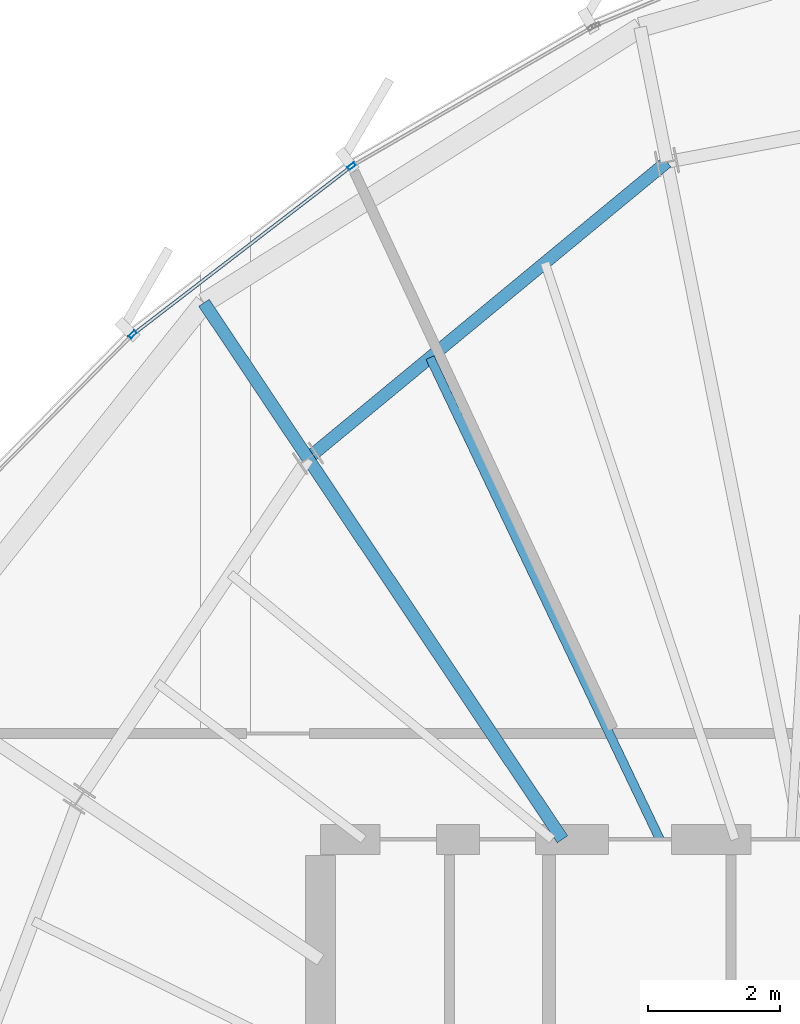
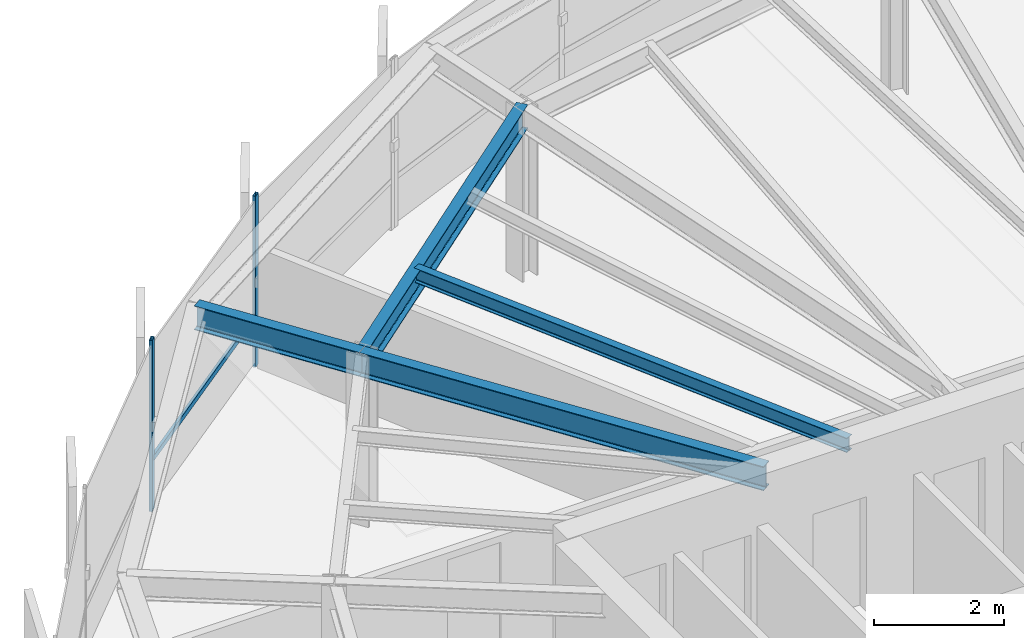
# One storey, part 19 of 33: 4 beams, 3 members, 1 element without a shape of its own.
"""IFC4 building model written with IfcOpenShell, lengths in metres."""

from ifc_helpers import new_model, si_unit, direction, frame, origin, origin_2d, place, context, subcontext, project, spatial, hollow_rectangle, i_section, extrude, source, transform, mapped, material, layer, layer_set, material_profile, profile_set, type_object, element, aggregate, save


model = new_model("IFC4")

# Units and contexts
model_context = context("Model", 3, precision=1e-05, world=origin(), true_north=direction((0.0, 1.0)))
body_context = subcontext(model_context, "Body", "Model", "MODEL_VIEW")
ifc_project = project(units=[si_unit("LENGTHUNIT", "METRE"), si_unit("AREAUNIT", "SQUARE_METRE"), si_unit("VOLUMEUNIT", "CUBIC_METRE"), si_unit("PLANEANGLEUNIT", "RADIAN"), si_unit("MASSUNIT", "GRAM", prefix="KILO"), si_unit("THERMODYNAMICTEMPERATUREUNIT", "KELVIN")], contexts=[model_context])

# Site, building, storey
site_placement = place(None, origin())
site = spatial("IfcSite", under=ifc_project, at=site_placement, CompositionType="ELEMENT")
building_placement = place(site_placement, origin())
building = spatial("IfcBuilding", under=site, at=building_placement, Name="Kethvar Cultural Tower", CompositionType="ELEMENT")
storey_placement = place(building_placement, frame((0.0, 0.0, 235.300048828125)))
storey = spatial("IfcBuildingStorey", under=building, at=storey_placement, Name="L61", CompositionType="ELEMENT", Elevation=235.300048828125)

# Beams
ifc_material_1 = material(Name="Steel S355J2", Category="steel")
ifc_material_profile_1 = material_profile(ifc_material_1, i_section(OverallWidth=0.18994140625, OverallDepth=0.449951171875, WebThickness=0.009521484375, FlangeThickness=0.0146484375, FilletRadius=0.02099609375, at=origin_2d()), Name="Steel S355J2 — IPE450")
ifc_profile_set_1 = profile_set([ifc_material_profile_1], Name="Steel S355J2 — IPE450")
beam_type_1 = type_object("IfcBeamType", Name="BM-IPE450", PredefinedType="BEAM", material=ifc_profile_set_1)
shared_shape_1 = source(origin(), body_context, "Body", "SweptSolid", [
    extrude(i_section(OverallWidth=0.18994140625, OverallDepth=0.449951171875, WebThickness=0.009521484375, FlangeThickness=0.0146484375, FilletRadius=0.02099609375, at=origin_2d()), origin(), (0.0, 0.0, 1.0), 6.921630859375),
])
beam_1_placement = place(storey_placement, frame((41.655029296875, 35.5, 2.98291015625), z_axis=(-0.555570841874, 0.831469205479, 0.0), x_axis=(-0.831469205479, -0.555570841874, 0.0)))
element("IfcBeam", 1, at=beam_1_placement, inside=storey, type_object=beam_type_1, Name="L61 Primary Radial Beam RB-06", PredefinedType="BEAM", context=body_context, shape_type="MappedRepresentation", body=[
    mapped(shared_shape_1, transform((0.0, 0.0, 0.0), scale=1.0)),
])
shared_shape_2 = source(origin(), body_context, "Body", "SweptSolid", [
    extrude(i_section(OverallWidth=0.18994140625, OverallDepth=0.449951171875, WebThickness=0.009521484375, FlangeThickness=0.0146484375, FilletRadius=0.02099609375, at=origin_2d()), origin(), (0.0, 0.0, 1.0), 7.03271484375),
])
beam_2_placement = place(storey_placement, frame((43.23291015625, 45.732421875, 2.98291015625), z_axis=(-0.771161072103, -0.636640087391, 0.0), x_axis=(0.636640087391, -0.771161072103, 0.0)))
element("IfcBeam", 2, at=beam_2_placement, inside=storey, type_object=beam_type_1, Name="L61 Column Ring Tie Beam CR-05", PredefinedType="BEAM", context=body_context, shape_type="MappedRepresentation", body=[
    mapped(shared_shape_2, transform((0.0, 0.0, 0.0), scale=1.0)),
])
ifc_material_profile_2 = material_profile(ifc_material_1, i_section(OverallWidth=0.135009765625, OverallDepth=0.27001953125, WebThickness=0.006591796875, FlangeThickness=0.01025390625, FilletRadius=0.014892578125, at=origin_2d()), Name="Steel S355J2 — IPE270")
ifc_profile_set_2 = profile_set([ifc_material_profile_2], Name="Steel S355J2 — IPE270")
beam_type_2 = type_object("IfcBeamType", Name="BM-J270", PredefinedType="JOIST", material=ifc_profile_set_2)
shared_shape_3 = source(origin(), body_context, "Body", "SweptSolid", [
    extrude(i_section(OverallWidth=0.135009765625, OverallDepth=0.27001953125, WebThickness=0.006591796875, FlangeThickness=0.01025390625, FilletRadius=0.014892578125, at=origin_2d()), origin(), (0.0, 0.0, 1.0), 8.063232421875),
])
beam_3_placement = place(storey_placement, frame((43.1259765625, 35.5, 3.072998046875), z_axis=(-0.430642151588, 0.902522762746, 0.0), x_axis=(-0.902522762746, -0.430642151588, 0.0)))
element("IfcBeam", 3, at=beam_3_placement, inside=storey, type_object=beam_type_2, Name="L61 Composite Floor Joist J-05B", PredefinedType="JOIST", context=body_context, shape_type="MappedRepresentation", body=[
    mapped(shared_shape_3, transform((0.0, 0.0, 0.0), scale=1.0)),
])
shared_shape_4 = source(origin(), body_context, "Body", "SweptSolid", [
    extrude(i_section(OverallWidth=0.18994140625, OverallDepth=0.449951171875, WebThickness=0.009521484375, FlangeThickness=0.0146484375, FilletRadius=0.02099609375, at=origin_2d()), origin(), (0.0, 0.0, 1.0), 2.82568359375),
])
beam_4_placement = place(storey_placement, frame((37.8095703125, 41.255126953125, 2.98291015625), z_axis=(-0.555577219999, 0.83146494371, 0.0), x_axis=(-0.83146494371, -0.555577219999, 0.0)))
element("IfcBeam", 4, at=beam_4_placement, inside=storey, type_object=beam_type_1, Name="L61 Perimeter Cantilever Beam RC-06", PredefinedType="BEAM", context=body_context, shape_type="MappedRepresentation", body=[
    mapped(shared_shape_4, transform((0.0, 0.0, 0.0), scale=1.0)),
])

# Curtain wall, members
ifc_material_2 = material(Name="Aluminium 6063-T6", Category="aluminium")
ifc_layer = layer(ifc_material_2, 0.179931640625, Name="Aluminium 6063-T6", Category="aluminium")
ifc_layer_set = layer_set([ifc_layer], Name="Aluminium 6063-T6 (180 mm)")
curtain_wall_type = type_object("IfcCurtainWallType", Name="CW-SYS-05-Z56", PredefinedType="NOTDEFINED", material=ifc_layer_set)
curtain_wall_placement = place(storey_placement, origin())
curtain_wall = element("IfcCurtainWall", 5, at=curtain_wall_placement, inside=storey, type_object=curtain_wall_type, Name="L61 Curtain Wall Run 02", PredefinedType="NOTDEFINED")
ifc_material_profile_3 = material_profile(ifc_material_2, hollow_rectangle(XDim=0.054931640625, YDim=0.1201171875, WallThickness=0.00390625, at=origin_2d()), Name="Aluminium 6063-T6 — RHS120x55x4")
ifc_profile_set_3 = profile_set([ifc_material_profile_3], Name="Aluminium 6063-T6 — RHS120x55x4")
member_type_1 = type_object("IfcMemberType", Name="CW-SYS-05-Z56-MUL", PredefinedType="MULLION", material=ifc_profile_set_3)
shared_shape_5 = source(origin(), body_context, "Body", "SweptSolid", [
    extrude(hollow_rectangle(XDim=0.054931640625, YDim=0.1201171875, WallThickness=0.00390625, at=origin_2d()), origin(), (0.0, 0.0, 1.0), 3.2099609375),
])
member_1_placement = place(storey_placement, frame((38.470703125, 45.670166015625, 0.0), z_axis=(0.0, 0.0, 1.0), x_axis=(0.609730238396, -0.792609005996, 0.0)))
member_1 = element("IfcMember", 6, at=member_1_placement, type_object=member_type_1, Name="CW-L61-R02 Mullion 2", PredefinedType="MULLION", context=body_context, shape_type="MappedRepresentation", body=[
    mapped(shared_shape_5, transform((0.0, 0.0, 0.0), scale=1.0)),
])
member_2_placement = place(storey_placement, frame((35.16064453125, 43.125, 0.0), z_axis=(0.0, 0.0, 1.0), x_axis=(0.712430338996, -0.701742838993, 0.0)))
member_2 = element("IfcMember", 7, at=member_2_placement, type_object=member_type_1, Name="CW-L61-R02 Mullion 3", PredefinedType="MULLION", context=body_context, shape_type="MappedRepresentation", body=[
    mapped(shared_shape_5, transform((0.0, 0.0, 0.0), scale=1.0)),
])
ifc_material_profile_4 = material_profile(ifc_material_2, hollow_rectangle(XDim=0.050048828125, YDim=0.10009765625, WallThickness=0.00390625, at=origin_2d()), Name="Aluminium 6063-T6 — RHS100x50x4")
ifc_profile_set_4 = profile_set([ifc_material_profile_4], Name="Aluminium 6063-T6 — RHS100x50x4")
member_type_2 = type_object("IfcMemberType", Name="CW-SYS-05-Z56-TRN", PredefinedType="USERDEFINED", material=ifc_profile_set_4)
shared_shape_6 = source(origin(), body_context, "Body", "SweptSolid", [
    extrude(hollow_rectangle(XDim=0.050048828125, YDim=0.10009765625, WallThickness=0.00390625, at=origin_2d()), origin(), (0.0, 0.0, 1.0), 4.110107421875),
])
member_3_placement = place(storey_placement, frame((38.439453125, 45.64599609375, 0.949951171875), z_axis=(-0.792590864562, -0.609753820335, 0.0), x_axis=(0.609753820335, -0.792590864562, 0.0)))
member_3 = element("IfcMember", 8, at=member_3_placement, type_object=member_type_2, Name="CW-L61-R02 Transom 2", ObjectType="TRANSOM", PredefinedType="USERDEFINED", context=body_context, shape_type="MappedRepresentation", body=[
    mapped(shared_shape_6, transform((0.0, 0.0, 0.0), scale=1.0)),
])
aggregate(curtain_wall, [member_1, member_2, member_3])

save(model, "model.ifc")
